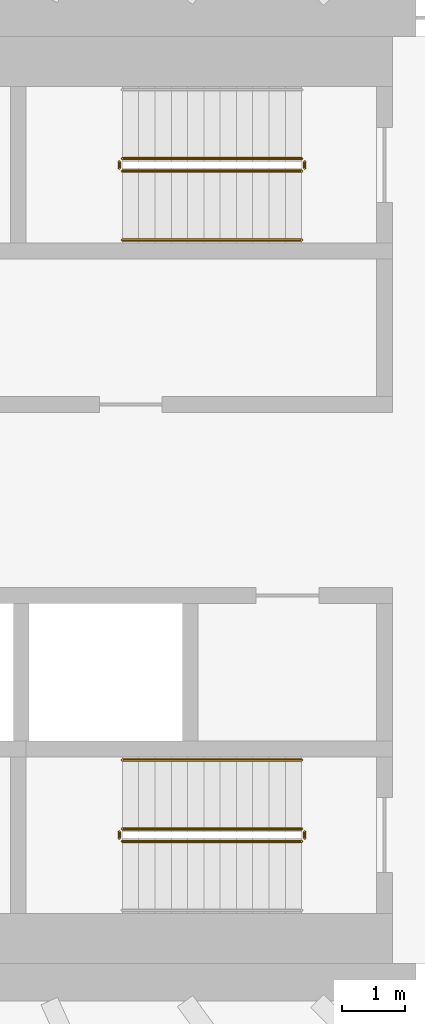
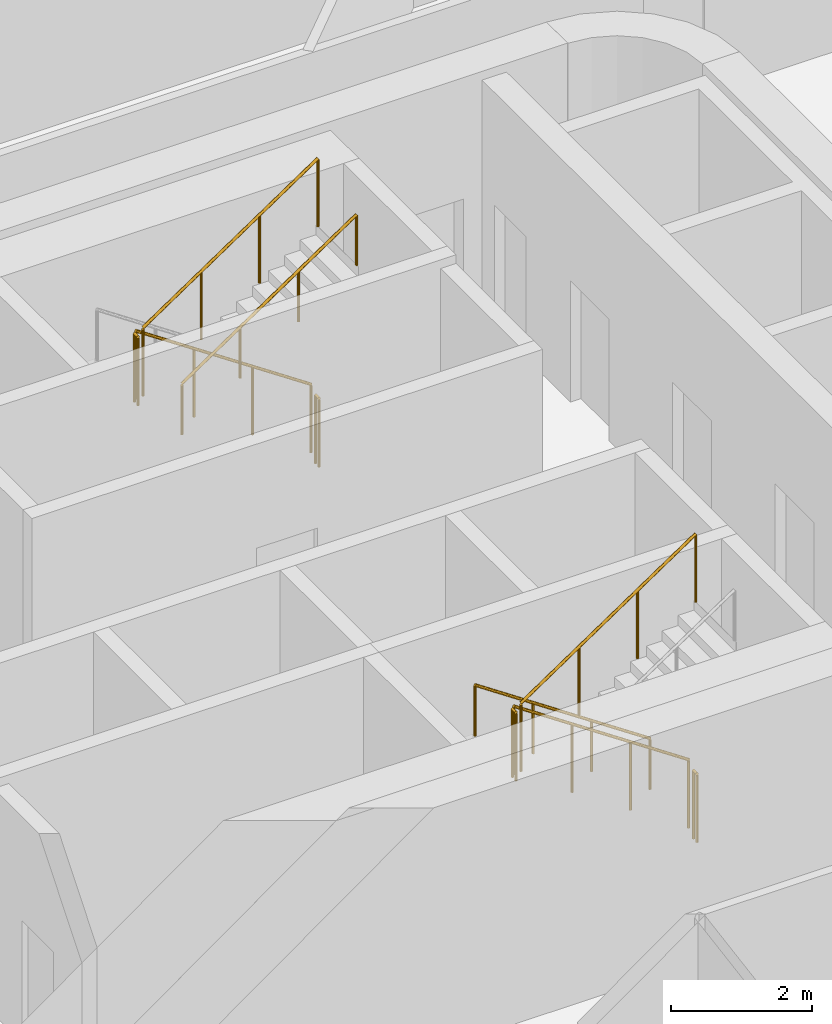
# One storey, part 23 of 25: 10 railings.
"""IFC4 building model written with IfcOpenShell, lengths in metres."""

from ifc_helpers import new_model, si_unit, direction, frame, origin, origin_2d, place, context, subcontext, project, spatial, circle, extrude, material, type_object, element, save


model = new_model("IFC4")

# Units and contexts
model_context = context("Model", 3, precision=1e-05, world=origin(), true_north=direction((0.0, 1.0)))
body_context = subcontext(model_context, "Body", "Model", "MODEL_VIEW")
ifc_project = project(units=[si_unit("LENGTHUNIT", "METRE"), si_unit("AREAUNIT", "SQUARE_METRE"), si_unit("VOLUMEUNIT", "CUBIC_METRE"), si_unit("PLANEANGLEUNIT", "RADIAN"), si_unit("MASSUNIT", "GRAM", prefix="KILO")], contexts=[model_context])

# Site, building, storey
site_placement = place(None, origin())
site = spatial("IfcSite", under=ifc_project, at=site_placement, CompositionType="ELEMENT")
building_placement = place(site_placement, origin())
building = spatial("IfcBuilding", under=site, at=building_placement, Name="Sahrelin Media Tower", CompositionType="ELEMENT")
storey_placement = place(building_placement, frame((0.0, 0.0, 139.800048828125)))
storey = spatial("IfcBuildingStorey", under=building, at=storey_placement, Name="L28", CompositionType="ELEMENT", Elevation=139.800048828125)

# Railings
ifc_material = material(Name="Steel S355", Category="steel")
railing_type_1 = type_object("IfcRailingType", Name="Stair guard 1200", PredefinedType="GUARDRAIL", material=ifc_material)
railing_1_placement = place(storey_placement, frame((7.675048828125, 5.449951171875, 0.175048828125)))
element("IfcRailing", 1, at=railing_1_placement, inside=storey, type_object=railing_type_1, Name="L28 ST3 stair guard 1", PredefinedType="GUARDRAIL", context=body_context, shape_type="SweptSolid", body=[
    extrude(circle(Radius=0.02392578125, at=origin_2d()), frame((0.0, 0.0, 1.17578125), z_axis=(-0.829623704247, 0.0, 0.558322943601), x_axis=(0.0, -1.0, 0.0)), (0.0, 0.0, 1.0), 3.447509765625),
    extrude(circle(Radius=0.02099609375, at=origin_2d()), origin(), (0.0, 0.0, 1.0), 1.15185546875),
    extrude(circle(Radius=0.02099609375, at=origin_2d()), frame((-0.953369140625, 0.0, 0.6416015625)), (0.0, 0.0, 1.0), 1.15185546875),
    extrude(circle(Radius=0.02099609375, at=origin_2d()), frame((-1.90673828125, 0.0, 1.283203125)), (0.0, 0.0, 1.0), 1.15185546875),
    extrude(circle(Radius=0.02099609375, at=origin_2d()), frame((-2.860107421875, 0.0, 1.9248046875)), (0.0, 0.0, 1.0), 1.15185546875),
])
railing_2_placement = place(storey_placement, frame((4.764892578125, 5.39990234375, 2.099853515625)))
element("IfcRailing", 2, at=railing_2_placement, inside=storey, type_object=railing_type_1, Name="L28 ST3 stair guard 2", PredefinedType="GUARDRAIL", context=body_context, shape_type="SweptSolid", body=[
    extrude(circle(Radius=0.02392578125, at=origin_2d()), frame((0.0, 0.0, 1.17578125), z_axis=(0.0, -1.0, 0.0), x_axis=(1.0, 0.0, 0.0)), (0.0, 0.0, 1.0), 0.099853515625),
    extrude(circle(Radius=0.02099609375, at=origin_2d()), origin(), (0.0, 0.0, 1.0), 1.15185546875),
    extrude(circle(Radius=0.02099609375, at=origin_2d()), frame((0.0, -0.099853515625, 0.0)), (0.0, 0.0, 1.0), 1.15185546875),
])
railing_3_placement = place(storey_placement, frame((4.81494140625, 5.25, 2.27490234375)))
element("IfcRailing", 3, at=railing_3_placement, inside=storey, type_object=railing_type_1, Name="L28 ST3 stair guard 3", PredefinedType="GUARDRAIL", context=body_context, shape_type="SweptSolid", body=[
    extrude(circle(Radius=0.02392578125, at=origin_2d()), frame((0.0, 0.0, 1.17578125), z_axis=(0.829590901723, 0.0, 0.558371682465), x_axis=(0.0, 1.0, 0.0)), (0.0, 0.0, 1.0), 3.447509765625),
    extrude(circle(Radius=0.02099609375, at=origin_2d()), origin(), (0.0, 0.0, 1.0), 1.15185546875),
    extrude(circle(Radius=0.02099609375, at=origin_2d()), frame((0.953369140625, 0.0, 0.6416015625)), (0.0, 0.0, 1.0), 1.15185546875),
    extrude(circle(Radius=0.02099609375, at=origin_2d()), frame((1.90673828125, 0.0, 1.283447265625)), (0.0, 0.0, 1.0), 1.15185546875),
    extrude(circle(Radius=0.02099609375, at=origin_2d()), frame((2.860107421875, 0.0, 1.925048828125)), (0.0, 0.0, 1.0), 1.15185546875),
])
railing_4_placement = place(storey_placement, frame((7.72509765625, 5.39990234375, 0.0)))
element("IfcRailing", 4, at=railing_4_placement, inside=storey, type_object=railing_type_1, Name="L28 ST3 stair guard 4", PredefinedType="GUARDRAIL", context=body_context, shape_type="SweptSolid", body=[
    extrude(circle(Radius=0.02392578125, at=origin_2d()), frame((0.0, 0.0, 1.17578125), z_axis=(0.0, -1.0, 0.0), x_axis=(1.0, 0.0, 0.0)), (0.0, 0.0, 1.0), 0.099853515625),
    extrude(circle(Radius=0.02099609375, at=origin_2d()), origin(), (0.0, 0.0, 1.0), 1.15185546875),
    extrude(circle(Radius=0.02099609375, at=origin_2d()), frame((0.0, -0.099853515625, 0.0)), (0.0, 0.0, 1.0), 1.15185546875),
])
railing_5_placement = place(storey_placement, frame((7.675048828125, -5.25, 0.175048828125)))
element("IfcRailing", 5, at=railing_5_placement, inside=storey, type_object=railing_type_1, Name="L28 ST2 stair guard 1", PredefinedType="GUARDRAIL", context=body_context, shape_type="SweptSolid", body=[
    extrude(circle(Radius=0.02392578125, at=origin_2d()), frame((0.0, 0.0, 1.17578125), z_axis=(-0.829623704247, 0.0, 0.558322943601), x_axis=(0.0, -1.0, 0.0)), (0.0, 0.0, 1.0), 3.447509765625),
    extrude(circle(Radius=0.02099609375, at=origin_2d()), origin(), (0.0, 0.0, 1.0), 1.15185546875),
    extrude(circle(Radius=0.02099609375, at=origin_2d()), frame((-0.953369140625, 0.0, 0.6416015625)), (0.0, 0.0, 1.0), 1.15185546875),
    extrude(circle(Radius=0.02099609375, at=origin_2d()), frame((-1.90673828125, 0.0, 1.283203125)), (0.0, 0.0, 1.0), 1.15185546875),
    extrude(circle(Radius=0.02099609375, at=origin_2d()), frame((-2.860107421875, 0.0, 1.9248046875)), (0.0, 0.0, 1.0), 1.15185546875),
])
railing_6_placement = place(storey_placement, frame((4.764892578125, -5.300048828125, 2.099853515625)))
element("IfcRailing", 6, at=railing_6_placement, inside=storey, type_object=railing_type_1, Name="L28 ST2 stair guard 2", PredefinedType="GUARDRAIL", context=body_context, shape_type="SweptSolid", body=[
    extrude(circle(Radius=0.02392578125, at=origin_2d()), frame((0.0, 0.0, 1.17578125), z_axis=(0.0, -1.0, 0.0), x_axis=(1.0, 0.0, 0.0)), (0.0, 0.0, 1.0), 0.099853515625),
    extrude(circle(Radius=0.02099609375, at=origin_2d()), origin(), (0.0, 0.0, 1.0), 1.15185546875),
    extrude(circle(Radius=0.02099609375, at=origin_2d()), frame((0.0, -0.099853515625, 0.0)), (0.0, 0.0, 1.0), 1.15185546875),
])
railing_7_placement = place(storey_placement, frame((4.81494140625, -5.449951171875, 2.27490234375)))
element("IfcRailing", 7, at=railing_7_placement, inside=storey, type_object=railing_type_1, Name="L28 ST2 stair guard 3", PredefinedType="GUARDRAIL", context=body_context, shape_type="SweptSolid", body=[
    extrude(circle(Radius=0.02392578125, at=origin_2d()), frame((0.0, 0.0, 1.17578125), z_axis=(0.829590901723, 0.0, 0.558371682465), x_axis=(0.0, 1.0, 0.0)), (0.0, 0.0, 1.0), 3.447509765625),
    extrude(circle(Radius=0.02099609375, at=origin_2d()), origin(), (0.0, 0.0, 1.0), 1.15185546875),
    extrude(circle(Radius=0.02099609375, at=origin_2d()), frame((0.953369140625, 0.0, 0.6416015625)), (0.0, 0.0, 1.0), 1.15185546875),
    extrude(circle(Radius=0.02099609375, at=origin_2d()), frame((1.90673828125, 0.0, 1.283447265625)), (0.0, 0.0, 1.0), 1.15185546875),
    extrude(circle(Radius=0.02099609375, at=origin_2d()), frame((2.860107421875, 0.0, 1.925048828125)), (0.0, 0.0, 1.0), 1.15185546875),
])
railing_8_placement = place(storey_placement, frame((7.72509765625, -5.300048828125, 0.0)))
element("IfcRailing", 8, at=railing_8_placement, inside=storey, type_object=railing_type_1, Name="L28 ST2 stair guard 4", PredefinedType="GUARDRAIL", context=body_context, shape_type="SweptSolid", body=[
    extrude(circle(Radius=0.02392578125, at=origin_2d()), frame((0.0, 0.0, 1.17578125), z_axis=(0.0, -1.0, 0.0), x_axis=(1.0, 0.0, 0.0)), (0.0, 0.0, 1.0), 0.099853515625),
    extrude(circle(Radius=0.02099609375, at=origin_2d()), origin(), (0.0, 0.0, 1.0), 1.15185546875),
    extrude(circle(Radius=0.02099609375, at=origin_2d()), frame((0.0, -0.099853515625, 0.0)), (0.0, 0.0, 1.0), 1.15185546875),
])
railing_type_2 = type_object("IfcRailingType", Name="Stair handrail 900", PredefinedType="HANDRAIL", material=ifc_material)
railing_9_placement = place(storey_placement, frame((4.81494140625, 4.14990234375, 2.27490234375)))
element("IfcRailing", 9, at=railing_9_placement, inside=storey, type_object=railing_type_2, Name="L28 ST3 stair handrail 2", PredefinedType="HANDRAIL", context=body_context, shape_type="SweptSolid", body=[
    extrude(circle(Radius=0.02392578125, at=origin_2d()), frame((0.0, 0.0, 0.8759765625), z_axis=(0.829590901723, 0.0, 0.558371682465), x_axis=(0.0, 1.0, 0.0)), (0.0, 0.0, 1.0), 3.447509765625),
    extrude(circle(Radius=0.02099609375, at=origin_2d()), origin(), (0.0, 0.0, 1.0), 0.851806640625),
    extrude(circle(Radius=0.02099609375, at=origin_2d()), frame((0.953369140625, 0.0, 0.6416015625)), (0.0, 0.0, 1.0), 0.851806640625),
    extrude(circle(Radius=0.02099609375, at=origin_2d()), frame((1.90673828125, 0.0, 1.283447265625)), (0.0, 0.0, 1.0), 0.851806640625),
    extrude(circle(Radius=0.02099609375, at=origin_2d()), frame((2.860107421875, 0.0, 1.925048828125)), (0.0, 0.0, 1.0), 0.851806640625),
])
railing_10_placement = place(storey_placement, frame((7.675048828125, -4.14990234375, 0.175048828125)))
element("IfcRailing", 10, at=railing_10_placement, inside=storey, type_object=railing_type_2, Name="L28 ST2 stair handrail 1", PredefinedType="HANDRAIL", context=body_context, shape_type="SweptSolid", body=[
    extrude(circle(Radius=0.02392578125, at=origin_2d()), frame((0.0, 0.0, 0.8759765625), z_axis=(-0.829623704247, 0.0, 0.558322943601), x_axis=(0.0, -1.0, 0.0)), (0.0, 0.0, 1.0), 3.447509765625),
    extrude(circle(Radius=0.02099609375, at=origin_2d()), origin(), (0.0, 0.0, 1.0), 0.851806640625),
    extrude(circle(Radius=0.02099609375, at=origin_2d()), frame((-0.953369140625, 0.0, 0.6416015625)), (0.0, 0.0, 1.0), 0.851806640625),
    extrude(circle(Radius=0.02099609375, at=origin_2d()), frame((-1.90673828125, 0.0, 1.283203125)), (0.0, 0.0, 1.0), 0.851806640625),
    extrude(circle(Radius=0.02099609375, at=origin_2d()), frame((-2.860107421875, 0.0, 1.9248046875)), (0.0, 0.0, 1.0), 0.851806640625),
])

save(model, "model.ifc")
